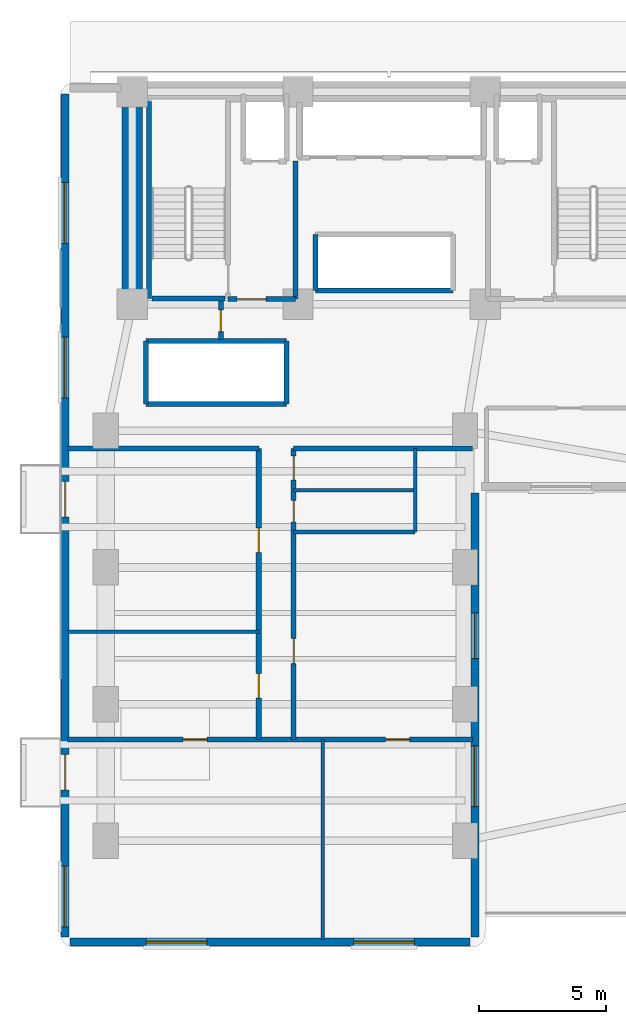
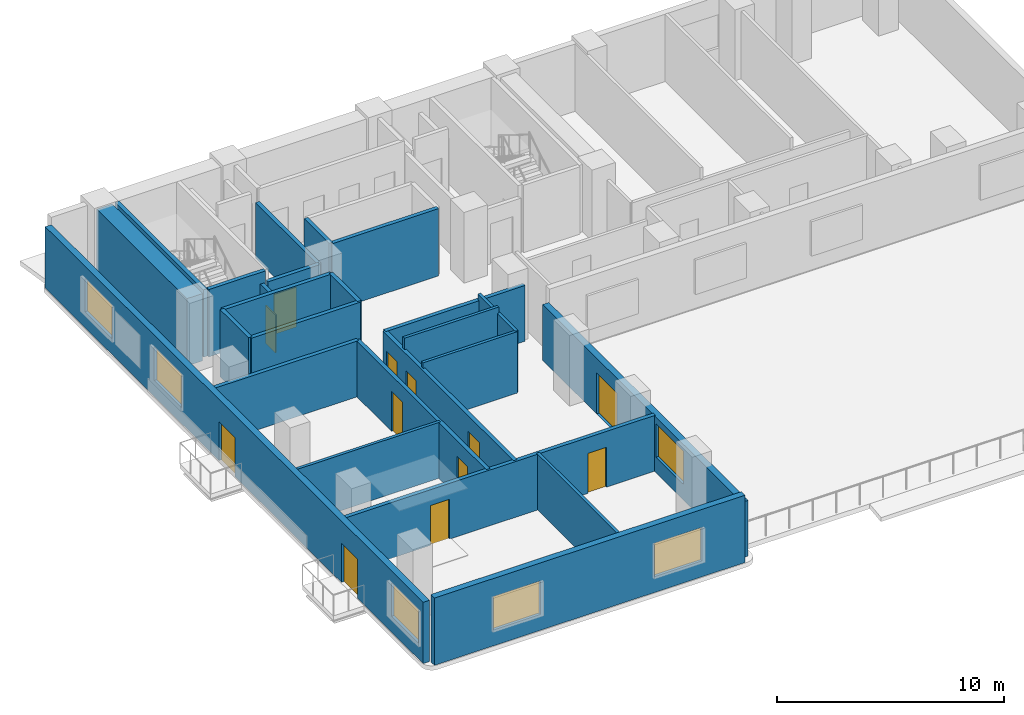
# One storey, part 3 of 10: 25 walls, 12 doors, 6 windows, 18 openings.
"""IFC4 building model written with IfcOpenShell, lengths in metres."""

from ifc_helpers import new_model, si_unit, direction, frame, frame_2d, origin, place, context, subcontext, project, spatial, rectangle, extrude, material, layer, layer_set, type_object, element, fill, save


model = new_model("IFC4")

# Units and contexts
model_context = context("Model", 3, precision=1e-05, world=origin(), true_north=direction((0.0, 1.0)))
body_context = subcontext(model_context, "Body", "Model", "MODEL_VIEW")
ifc_project = project(units=[si_unit("LENGTHUNIT", "METRE"), si_unit("AREAUNIT", "SQUARE_METRE"), si_unit("VOLUMEUNIT", "CUBIC_METRE"), si_unit("PLANEANGLEUNIT", "RADIAN"), si_unit("MASSUNIT", "GRAM", prefix="KILO")], contexts=[model_context])

# Site, building, storey
site_placement = place(None, origin())
site = spatial("IfcSite", under=ifc_project, at=site_placement, CompositionType="ELEMENT")
building_placement = place(site_placement, origin())
building = spatial("IfcBuilding", under=site, at=building_placement, Name="Kuzgunbayir Cultural Tower", CompositionType="ELEMENT")
storey_placement = place(building_placement, frame((0.0, 0.0, 26.39990234375)))
storey = spatial("IfcBuildingStorey", under=building, at=storey_placement, Name="L06", CompositionType="ELEMENT", Elevation=26.39990234375)

# Wall
ifc_material_1 = material(Name="Concrete C60/75", Category="concrete")
ifc_layer_1 = layer(ifc_material_1, 0.800048828125)
ifc_layer_set_1 = layer_set([ifc_layer_1], Name="Concrete C60/75")
wall_type_1 = type_object("IfcWallType", Name="WAL-CORE-800", PredefinedType="SHEAR", material=ifc_layer_set_1)
wall_1_placement = place(storey_placement, frame((6.449951171875, 33.800048828125, 0.0), z_axis=(0.0, 0.0, 1.0), x_axis=(0.0, 1.0, 0.0)))
element("IfcWall", 1, at=wall_1_placement, inside=storey, type_object=wall_type_1, Name="L06 T1 Core West Shear Wall", PredefinedType="SHEAR", context=body_context, shape_type="SweptSolid", body=[
    extrude(rectangle(XDim=7.949951171875, YDim=0.800048828125, at=frame_2d((3.97509765625, 0.0))), origin(), (0.0, 0.0, 1.0), 3.6201171875),
])

# Wall, openings, windows
ifc_material_2 = material(Name="Travertine Buff Ashlar", Category="masonry")
ifc_layer_2 = layer(ifc_material_2, 0.320068359375)
ifc_layer_set_2 = layer_set([ifc_layer_2], Name="Travertine Buff Ashlar")
wall_type_2 = type_object("IfcWallType", Name="WAL-EXT-STONE-320", PredefinedType="STANDARD", material=ifc_layer_set_2)
wall_2_placement = place(storey_placement, frame((4.0, 8.60009765625, 0.0), z_axis=(0.0, 0.0, 1.0), x_axis=(1.0, 0.0, 0.0)))
wall_2 = element("IfcWall", 2, at=wall_2_placement, inside=storey, type_object=wall_type_2, Name="L06 Wing A South Limestone Wall", PredefinedType="STANDARD", context=body_context, shape_type="SweptSolid", body=[
    extrude(rectangle(XDim=15.800048828125, YDim=0.320068359375, at=frame_2d((7.89990234375, 0.0))), origin(), (0.0, 0.0, 1.0), 3.6201171875),
])
opening_1_placement = place(wall_2_placement, frame((3.0, 0.0, 0.85009765625)))
opening_1 = element("IfcOpeningElement", 3, at=opening_1_placement, cuts=wall_2, Name="Opening WO-24", PredefinedType="OPENING", context=body_context, shape_type="SweptSolid", body=[
    extrude(rectangle(XDim=2.39990234375, YDim=1.800048828125, at=frame_2d((1.199951171875, 0.89990234375))), frame((0.0, 0.169921875, 0.0), z_axis=(0.0, -1.0, 0.0), x_axis=(1.0, 0.0, 0.0)), (0.0, 0.0, 1.0), 0.340087890625),
])
opening_2_placement = place(wall_2_placement, frame((11.199951171875, 0.0, 0.85009765625)))
opening_2 = element("IfcOpeningElement", 4, at=opening_2_placement, cuts=wall_2, Name="Opening WO-24", PredefinedType="OPENING", context=body_context, shape_type="SweptSolid", body=[
    extrude(rectangle(XDim=2.39990234375, YDim=1.800048828125, at=frame_2d((1.199951171875, 0.89990234375))), frame((0.0, 0.169921875, 0.0), z_axis=(0.0, -1.0, 0.0), x_axis=(1.0, 0.0, 0.0)), (0.0, 0.0, 1.0), 0.340087890625),
])
ifc_material_3 = material(Name="Solar-Control Triple Glazing", Category="glass")
window_type = type_object("IfcWindowType", Name="WIN-OFFICE-24", PartitioningType="SINGLE_PANEL", PredefinedType="WINDOW", material=ifc_material_3)
window_1_placement = place(opening_1_placement, origin())
window_1 = element("IfcWindow", 5, at=window_1_placement, inside=storey, type_object=window_type, Name="L06 WAS Facade Window 6", OverallHeight=1.800048828125, OverallWidth=2.39990234375, PartitioningType="SINGLE_PANEL", PredefinedType="WINDOW", context=body_context, shape_type="SweptSolid", body=[
    extrude(rectangle(XDim=2.39990234375, YDim=1.800048828125, at=frame_2d((1.199951171875, 0.89990234375))), frame((0.0, 0.030029296875, 0.0), z_axis=(0.0, -1.0, 0.0), x_axis=(1.0, 0.0, 0.0)), (0.0, 0.0, 1.0), 0.06005859375),
])
fill(opening_1, window_1)
window_2_placement = place(opening_2_placement, origin())
window_2 = element("IfcWindow", 6, at=window_2_placement, inside=storey, type_object=window_type, Name="L06 WAS Facade Window 7", OverallHeight=1.800048828125, OverallWidth=2.39990234375, PartitioningType="SINGLE_PANEL", PredefinedType="WINDOW", context=body_context, shape_type="SweptSolid", body=[
    extrude(rectangle(XDim=2.39990234375, YDim=1.800048828125, at=frame_2d((1.199951171875, 0.89990234375))), frame((0.0, 0.030029296875, 0.0), z_axis=(0.0, -1.0, 0.0), x_axis=(1.0, 0.0, 0.0)), (0.0, 0.0, 1.0), 0.06005859375),
])
fill(opening_2, window_2)

# Wall, openings, doors, windows
wall_3_placement = place(storey_placement, frame((3.800048828125, 42.10009765625, 0.0), z_axis=(0.0, 0.0, 1.0), x_axis=(0.0, -1.0, 0.0)))
wall_3 = element("IfcWall", 7, at=wall_3_placement, inside=storey, type_object=wall_type_2, Name="L06 Wing A West Limestone Wall", PredefinedType="STANDARD", context=body_context, shape_type="SweptSolid", body=[
    extrude(rectangle(XDim=33.300048828125, YDim=0.320068359375, at=frame_2d((16.64990234375, 0.0))), origin(), (0.0, 0.0, 1.0), 3.300048828125),
])
opening_3_placement = place(wall_3_placement, frame((26.10009765625, 0.0, 0.0)))
opening_3 = element("IfcOpeningElement", 8, at=opening_3_placement, cuts=wall_3, Name="Opening BD-15", PredefinedType="OPENING", context=body_context, shape_type="SweptSolid", body=[
    extrude(rectangle(XDim=1.39990234375, YDim=2.10009765625, at=frame_2d((0.699951171875, 1.050048828125))), frame((0.0, 0.169921875, 0.0), z_axis=(0.0, -1.0, 0.0), x_axis=(1.0, 0.0, 0.0)), (0.0, 0.0, 1.0), 0.340087890625),
])
opening_4_placement = place(wall_3_placement, frame((15.300048828125, 0.0, 0.0)))
opening_4 = element("IfcOpeningElement", 9, at=opening_4_placement, cuts=wall_3, Name="Opening BD-15", PredefinedType="OPENING", context=body_context, shape_type="SweptSolid", body=[
    extrude(rectangle(XDim=1.39990234375, YDim=2.10009765625, at=frame_2d((0.699951171875, 1.050048828125))), frame((0.0, 0.169921875, 0.0), z_axis=(0.0, -1.0, 0.0), x_axis=(1.0, 0.0, 0.0)), (0.0, 0.0, 1.0), 0.340087890625),
])
opening_5_placement = place(wall_3_placement, frame((30.5, 0.0, 0.85009765625)))
opening_5 = element("IfcOpeningElement", 10, at=opening_5_placement, cuts=wall_3, Name="Opening WO-24", PredefinedType="OPENING", context=body_context, shape_type="SweptSolid", body=[
    extrude(rectangle(XDim=2.39990234375, YDim=1.800048828125, at=frame_2d((1.199951171875, 0.89990234375))), frame((0.0, 0.169921875, 0.0), z_axis=(0.0, -1.0, 0.0), x_axis=(1.0, 0.0, 0.0)), (0.0, 0.0, 1.0), 0.340087890625),
])
opening_6_placement = place(wall_3_placement, frame((9.60009765625, 0.0, 0.85009765625)))
opening_6 = element("IfcOpeningElement", 11, at=opening_6_placement, cuts=wall_3, Name="Opening WO-24", PredefinedType="OPENING", context=body_context, shape_type="SweptSolid", body=[
    extrude(rectangle(XDim=2.39990234375, YDim=1.800048828125, at=frame_2d((1.199951171875, 0.89990234375))), frame((0.0, 0.169921875, 0.0), z_axis=(0.0, -1.0, 0.0), x_axis=(1.0, 0.0, 0.0)), (0.0, 0.0, 1.0), 0.340087890625),
])
opening_7_placement = place(wall_3_placement, frame((3.5, 0.0, 0.85009765625)))
opening_7 = element("IfcOpeningElement", 12, at=opening_7_placement, cuts=wall_3, Name="Opening WO-24", PredefinedType="OPENING", context=body_context, shape_type="SweptSolid", body=[
    extrude(rectangle(XDim=2.39990234375, YDim=1.800048828125, at=frame_2d((1.199951171875, 0.89990234375))), frame((0.0, 0.169921875, 0.0), z_axis=(0.0, -1.0, 0.0), x_axis=(1.0, 0.0, 0.0)), (0.0, 0.0, 1.0), 0.340087890625),
])
ifc_material_4 = material(Name="Thermally Broken Glazed Aluminium", Category="aluminium")
door_type_1 = type_object("IfcDoorType", Name="DR-BALCONY-150", OperationType="SLIDING_TO_RIGHT", PredefinedType="DOOR", material=ifc_material_4)
door_1_placement = place(opening_3_placement, origin())
door_1 = element("IfcDoor", 13, at=door_1_placement, inside=storey, type_object=door_type_1, Name="L06 West Balcony Sliding Door BAL-L06-WA1", OperationType="SLIDING_TO_RIGHT", OverallHeight=2.10009765625, OverallWidth=1.39990234375, PredefinedType="DOOR", context=body_context, shape_type="SweptSolid", body=[
    extrude(rectangle(XDim=1.39990234375, YDim=2.10009765625, at=frame_2d((0.699951171875, 1.050048828125))), frame((0.0, 0.02490234375, 0.0), z_axis=(0.0, -1.0, 0.0), x_axis=(1.0, 0.0, 0.0)), (0.0, 0.0, 1.0), 0.050048828125),
])
fill(opening_3, door_1)
door_2_placement = place(opening_4_placement, origin())
door_2 = element("IfcDoor", 14, at=door_2_placement, inside=storey, type_object=door_type_1, Name="L06 West Balcony Sliding Door BAL-L06-WA3", OperationType="SLIDING_TO_RIGHT", OverallHeight=2.10009765625, OverallWidth=1.39990234375, PredefinedType="DOOR", context=body_context, shape_type="SweptSolid", body=[
    extrude(rectangle(XDim=1.39990234375, YDim=2.10009765625, at=frame_2d((0.699951171875, 1.050048828125))), frame((0.0, 0.02490234375, 0.0), z_axis=(0.0, -1.0, 0.0), x_axis=(1.0, 0.0, 0.0)), (0.0, 0.0, 1.0), 0.050048828125),
])
fill(opening_4, door_2)
window_3_placement = place(opening_5_placement, origin())
window_3 = element("IfcWindow", 15, at=window_3_placement, inside=storey, type_object=window_type, Name="L06 WAW Facade Window 2", OverallHeight=1.800048828125, OverallWidth=2.39990234375, PartitioningType="SINGLE_PANEL", PredefinedType="WINDOW", context=body_context, shape_type="SweptSolid", body=[
    extrude(rectangle(XDim=2.39990234375, YDim=1.800048828125, at=frame_2d((1.199951171875, 0.89990234375))), frame((0.0, 0.030029296875, 0.0), z_axis=(0.0, -1.0, 0.0), x_axis=(1.0, 0.0, 0.0)), (0.0, 0.0, 1.0), 0.06005859375),
])
fill(opening_5, window_3)
window_4_placement = place(opening_6_placement, origin())
window_4 = element("IfcWindow", 16, at=window_4_placement, inside=storey, type_object=window_type, Name="L06 WAW Facade Window 3", OverallHeight=1.800048828125, OverallWidth=2.39990234375, PartitioningType="SINGLE_PANEL", PredefinedType="WINDOW", context=body_context, shape_type="SweptSolid", body=[
    extrude(rectangle(XDim=2.39990234375, YDim=1.800048828125, at=frame_2d((1.199951171875, 0.89990234375))), frame((0.0, 0.030029296875, 0.0), z_axis=(0.0, -1.0, 0.0), x_axis=(1.0, 0.0, 0.0)), (0.0, 0.0, 1.0), 0.06005859375),
])
fill(opening_6, window_4)
window_5_placement = place(opening_7_placement, origin())
window_5 = element("IfcWindow", 17, at=window_5_placement, inside=storey, type_object=window_type, Name="L06 WAW Facade Window 4", OverallHeight=1.800048828125, OverallWidth=2.39990234375, PartitioningType="SINGLE_PANEL", PredefinedType="WINDOW", context=body_context, shape_type="SweptSolid", body=[
    extrude(rectangle(XDim=2.39990234375, YDim=1.800048828125, at=frame_2d((1.199951171875, 0.89990234375))), frame((0.0, 0.030029296875, 0.0), z_axis=(0.0, -1.0, 0.0), x_axis=(1.0, 0.0, 0.0)), (0.0, 0.0, 1.0), 0.06005859375),
])
fill(opening_7, window_5)

# Wall, openings, door, window
wall_4_placement = place(storey_placement, frame((20.0, 8.800048828125, 0.0), z_axis=(0.0, 0.0, 1.0), x_axis=(0.0, 1.0, 0.0)))
wall_4 = element("IfcWall", 18, at=wall_4_placement, inside=storey, type_object=wall_type_2, Name="L06 Wing A East Limestone Wall", PredefinedType="STANDARD", context=body_context, shape_type="SweptSolid", body=[
    extrude(rectangle(XDim=17.550048828125, YDim=0.320068359375, at=frame_2d((8.77490234375, 0.0))), origin(), (0.0, 0.0, 1.0), 3.0),
])
opening_8_placement = place(wall_4_placement, frame((5.14990234375, 0.0, 0.85009765625)))
opening_8 = element("IfcOpeningElement", 19, at=opening_8_placement, cuts=wall_4, Name="Opening WO-24", PredefinedType="OPENING", context=body_context, shape_type="SweptSolid", body=[
    extrude(rectangle(XDim=2.39990234375, YDim=1.800048828125, at=frame_2d((1.199951171875, 0.89990234375))), frame((0.0, 0.169921875, 0.0), z_axis=(0.0, -1.0, 0.0), x_axis=(1.0, 0.0, 0.0)), (0.0, 0.0, 1.0), 0.340087890625),
])
opening_9_placement = place(wall_4_placement, frame((11.0, 0.0, 0.0)))
opening_9 = element("IfcOpeningElement", 20, at=opening_9_placement, cuts=wall_4, Name="Opening TD-18", PredefinedType="OPENING", context=body_context, shape_type="SweptSolid", body=[
    extrude(rectangle(XDim=1.800048828125, YDim=2.199951171875, at=frame_2d((0.89990234375, 1.10009765625))), frame((0.0, 0.169921875, 0.0), z_axis=(0.0, -1.0, 0.0), x_axis=(1.0, 0.0, 0.0)), (0.0, 0.0, 1.0), 0.340087890625),
])
door_type_2 = type_object("IfcDoorType", Name="DR-TERRACE-180", OperationType="SLIDING_TO_LEFT", PredefinedType="DOOR", material=ifc_material_4)
door_3_placement = place(opening_9_placement, origin())
door_3 = element("IfcDoor", 21, at=door_3_placement, inside=storey, type_object=door_type_2, Name="L06 Sculpture Roof Garden Terrace Door", OperationType="SLIDING_TO_LEFT", OverallHeight=2.199951171875, OverallWidth=1.800048828125, PredefinedType="DOOR", context=body_context, shape_type="SweptSolid", body=[
    extrude(rectangle(XDim=1.800048828125, YDim=2.199951171875, at=frame_2d((0.89990234375, 1.10009765625))), frame((0.0, 0.02490234375, 0.0), z_axis=(0.0, -1.0, 0.0), x_axis=(1.0, 0.0, 0.0)), (0.0, 0.0, 1.0), 0.050048828125),
])
fill(opening_9, door_3)
window_6_placement = place(opening_8_placement, origin())
window_6 = element("IfcWindow", 22, at=window_6_placement, inside=storey, type_object=window_type, Name="L06 WAE Facade Window 5", OverallHeight=1.800048828125, OverallWidth=2.39990234375, PartitioningType="SINGLE_PANEL", PredefinedType="WINDOW", context=body_context, shape_type="SweptSolid", body=[
    extrude(rectangle(XDim=2.39990234375, YDim=1.800048828125, at=frame_2d((1.199951171875, 0.89990234375))), frame((0.0, 0.030029296875, 0.0), z_axis=(0.0, -1.0, 0.0), x_axis=(1.0, 0.0, 0.0)), (0.0, 0.0, 1.0), 0.06005859375),
])
fill(opening_8, window_6)

# Walls
ifc_material_5 = material(Name="Acoustic Double-Stud Drywall", Category="gypsum")
ifc_layer_3 = layer(ifc_material_5, 0.14990234375)
ifc_layer_set_3 = layer_set([ifc_layer_3], Name="Acoustic Double-Stud Drywall")
wall_type_3 = type_object("IfcWallType", Name="WAL-PART-ACOUSTIC-150", PredefinedType="PARTITIONING", material=ifc_layer_set_3)
wall_5_placement = place(storey_placement, frame((3.89990234375, 20.860107421875, 0.0), z_axis=(0.0, 0.0, 1.0), x_axis=(1.0, 0.0, 0.0)))
element("IfcWall", 23, at=wall_5_placement, inside=storey, type_object=wall_type_3, Name="L06 West Suite Partition 1", PredefinedType="PARTITIONING", context=body_context, shape_type="SweptSolid", body=[
    extrude(rectangle(XDim=7.550048828125, YDim=0.14990234375, at=frame_2d((3.77490234375, 0.0))), origin(), (0.0, 0.0, 1.0), 3.0),
])
wall_6_placement = place(storey_placement, frame((13.97998046875, 8.699951171875, 0.0), z_axis=(0.0, 0.0, 1.0), x_axis=(0.0, 1.0, 0.0)))
element("IfcWall", 24, at=wall_6_placement, inside=storey, type_object=wall_type_3, Name="L06 South Suite Divider 1", PredefinedType="PARTITIONING", context=body_context, shape_type="SweptSolid", body=[
    extrude(rectangle(XDim=7.900146484375, YDim=0.14990234375, at=frame_2d((3.9501953125, 0.0))), origin(), (0.0, 0.0, 1.0), 3.0),
])
ifc_material_6 = material(Name="Aerated Concrete Blockwork", Category="masonry")
ifc_layer_4 = layer(ifc_material_6, 0.199951171875)
ifc_layer_set_4 = layer_set([ifc_layer_4], Name="Aerated Concrete Blockwork")
wall_type_4 = type_object("IfcWallType", Name="WAL-PART-FIRE-200", PredefinedType="PARTITIONING", material=ifc_layer_set_4)
wall_7_placement = place(storey_placement, frame((12.89990234375, 34.0, 0.0), z_axis=(0.0, 0.0, 1.0), x_axis=(0.0, 1.0, 0.0)))
element("IfcWall", 25, at=wall_7_placement, inside=storey, type_object=wall_type_4, Name="L06 FFL-1 Lobby East Fire Wall", PredefinedType="PARTITIONING", context=body_context, shape_type="SweptSolid", body=[
    extrude(rectangle(XDim=5.449951171875, YDim=0.199951171875, at=frame_2d((2.72509765625, 0.0))), origin(), (0.0, 0.0, 1.0), 3.0),
])

# Wall, opening, door
wall_8_placement = place(storey_placement, frame((10.239990234375, 34.0, 0.0), z_axis=(0.0, 0.0, 1.0), x_axis=(1.0, 0.0, 0.0)))
wall_8 = element("IfcWall", 26, at=wall_8_placement, inside=storey, type_object=wall_type_4, Name="L06 FFL-1 Lobby South Fire Wall", PredefinedType="PARTITIONING", context=body_context, shape_type="SweptSolid", body=[
    extrude(rectangle(XDim=2.659912109375, YDim=0.199951171875, at=frame_2d((1.330078125, 0.0))), origin(), (0.0, 0.0, 1.0), 3.0),
])
opening_10_placement = place(wall_8_placement, frame((0.35009765625, 0.0, 0.0)))
opening_10 = element("IfcOpeningElement", 27, at=opening_10_placement, cuts=wall_8, Name="Opening DR-FFL-90", PredefinedType="OPENING", context=body_context, shape_type="SweptSolid", body=[
    extrude(rectangle(XDim=1.14990234375, YDim=2.14990234375, at=frame_2d((0.574951171875, 1.074951171875))), frame((0.0, 0.10986328125, 0.0), z_axis=(0.0, -1.0, 0.0), x_axis=(1.0, 0.0, 0.0)), (0.0, 0.0, 1.0), 0.219970703125),
])
ifc_material_7 = material(Name="Steel S355J2", Category="steel")
door_type_3 = type_object("IfcDoorType", Name="DR-FFL-90", OperationType="NOTDEFINED", PredefinedType="DOOR", material=ifc_material_7)
door_4_placement = place(opening_10_placement, origin())
door_4 = element("IfcDoor", 28, at=door_4_placement, inside=storey, type_object=door_type_3, Name="L06 Firefighting Lobby 1 Door", OperationType="SINGLE_SWING_LEFT", OverallHeight=2.14990234375, OverallWidth=1.14990234375, PredefinedType="DOOR", context=body_context, shape_type="SweptSolid", body=[
    extrude(rectangle(XDim=1.14990234375, YDim=2.14990234375, at=frame_2d((0.574951171875, 1.074951171875))), frame((0.0, 0.02490234375, 0.0), z_axis=(0.0, -1.0, 0.0), x_axis=(1.0, 0.0, 0.0)), (0.0, 0.0, 1.0), 0.050048828125),
])
fill(opening_10, door_4)

wall_9_placement = place(storey_placement, frame((9.949951171875, 32.39990234375, 0.0), z_axis=(0.0, 0.0, 1.0), x_axis=(0.0, 1.0, 0.0)))
wall_9 = element("IfcWall", 29, at=wall_9_placement, inside=storey, type_object=wall_type_4, Name="L06 West Core Service Closet Wall", PredefinedType="PARTITIONING", context=body_context, shape_type="SweptSolid", body=[
    extrude(rectangle(XDim=1.52001953125, YDim=0.199951171875, at=frame_2d((0.760009765625, 0.0))), origin(), (0.0, 0.0, 1.0), 3.0),
])
opening_11_placement = place(wall_9_placement, frame((0.320068359375, 0.0, 0.0)))
opening_11 = element("IfcOpeningElement", 30, at=opening_11_placement, cuts=wall_9, Name="Opening DR-RSR-60", PredefinedType="OPENING", context=body_context, shape_type="SweptSolid", body=[
    extrude(rectangle(XDim=0.85009765625, YDim=2.050048828125, at=frame_2d((0.425048828125, 1.02490234375))), frame((0.0, 0.10986328125, 0.0), z_axis=(0.0, -1.0, 0.0), x_axis=(1.0, 0.0, 0.0)), (0.0, 0.0, 1.0), 0.219970703125),
])
ifc_material_8 = material(Name="Steel Access Leaf", Category="steel")
door_type_4 = type_object("IfcDoorType", Name="DR-RISER-60", OperationType="NOTDEFINED", PredefinedType="DOOR", material=ifc_material_8)
door_5_placement = place(opening_11_placement, origin())
door_5 = element("IfcDoor", 31, at=door_5_placement, inside=storey, type_object=door_type_4, Name="L06 Cleaner Utility Store Door", OperationType="SINGLE_SWING_LEFT", OverallHeight=2.050048828125, OverallWidth=0.85009765625, PredefinedType="DOOR", context=body_context, shape_type="SweptSolid", body=[
    extrude(rectangle(XDim=0.85009765625, YDim=2.050048828125, at=frame_2d((0.425048828125, 1.02490234375))), frame((0.0, 0.02490234375, 0.0), z_axis=(0.0, -1.0, 0.0), x_axis=(1.0, 0.0, 0.0)), (0.0, 0.0, 1.0), 0.050048828125),
])
fill(opening_11, door_5)

# Wall, openings, doors
wall_10_placement = place(storey_placement, frame((11.449951171875, 16.60009765625, 0.0), z_axis=(0.0, 0.0, 1.0), x_axis=(0.0, 1.0, 0.0)))
wall_10 = element("IfcWall", 32, at=wall_10_placement, inside=storey, type_object=wall_type_4, Name="L06 Wing A West Corridor Wall", PredefinedType="PARTITIONING", context=body_context, shape_type="SweptSolid", body=[
    extrude(rectangle(XDim=11.5, YDim=0.199951171875, at=frame_2d((5.75, 0.0))), origin(), (0.0, 0.0, 1.0), 3.0),
])
opening_12_placement = place(wall_10_placement, frame((1.64990234375, 0.0, 0.0)))
opening_12 = element("IfcOpeningElement", 33, at=opening_12_placement, cuts=wall_10, Name="Opening DI-90", PredefinedType="OPENING", context=body_context, shape_type="SweptSolid", body=[
    extrude(rectangle(XDim=0.949951171875, YDim=2.14990234375, at=frame_2d((0.47509765625, 1.074951171875))), frame((0.0, 0.10986328125, 0.0), z_axis=(0.0, -1.0, 0.0), x_axis=(1.0, 0.0, 0.0)), (0.0, 0.0, 1.0), 0.219970703125),
])
opening_13_placement = place(wall_10_placement, frame((7.39990234375, 0.0, 0.0)))
opening_13 = element("IfcOpeningElement", 34, at=opening_13_placement, cuts=wall_10, Name="Opening DI-90", PredefinedType="OPENING", context=body_context, shape_type="SweptSolid", body=[
    extrude(rectangle(XDim=0.949951171875, YDim=2.14990234375, at=frame_2d((0.47509765625, 1.074951171875))), frame((0.0, 0.10986328125, 0.0), z_axis=(0.0, -1.0, 0.0), x_axis=(1.0, 0.0, 0.0)), (0.0, 0.0, 1.0), 0.219970703125),
])
ifc_material_9 = material(Name="Veneered Oak Single Leaf", Category="wood")
door_type_5 = type_object("IfcDoorType", Name="DR-INT-90", OperationType="NOTDEFINED", PredefinedType="DOOR", material=ifc_material_9)
door_6_placement = place(opening_12_placement, origin())
door_6 = element("IfcDoor", 35, at=door_6_placement, inside=storey, type_object=door_type_5, Name="L06 Curatorial Office W1 Door", OperationType="SINGLE_SWING_RIGHT", OverallHeight=2.14990234375, OverallWidth=0.949951171875, PredefinedType="DOOR", context=body_context, shape_type="SweptSolid", body=[
    extrude(rectangle(XDim=0.949951171875, YDim=2.14990234375, at=frame_2d((0.47509765625, 1.074951171875))), frame((0.0, 0.02490234375, 0.0), z_axis=(0.0, -1.0, 0.0), x_axis=(1.0, 0.0, 0.0)), (0.0, 0.0, 1.0), 0.050048828125),
])
fill(opening_12, door_6)
door_7_placement = place(opening_13_placement, origin())
door_7 = element("IfcDoor", 36, at=door_7_placement, inside=storey, type_object=door_type_5, Name="L06 Wellness Consultation Studio W2 Door", OperationType="SINGLE_SWING_LEFT", OverallHeight=2.14990234375, OverallWidth=0.949951171875, PredefinedType="DOOR", context=body_context, shape_type="SweptSolid", body=[
    extrude(rectangle(XDim=0.949951171875, YDim=2.14990234375, at=frame_2d((0.47509765625, 1.074951171875))), frame((0.0, 0.02490234375, 0.0), z_axis=(0.0, -1.0, 0.0), x_axis=(1.0, 0.0, 0.0)), (0.0, 0.0, 1.0), 0.050048828125),
])
fill(opening_13, door_7)

wall_11_placement = place(storey_placement, frame((12.830078125, 16.60009765625, 0.0), z_axis=(0.0, 0.0, 1.0), x_axis=(0.0, 1.0, 0.0)))
wall_11 = element("IfcWall", 37, at=wall_11_placement, inside=storey, type_object=wall_type_4, Name="L06 Wing A East Corridor Wall", PredefinedType="PARTITIONING", context=body_context, shape_type="SweptSolid", body=[
    extrude(rectangle(XDim=11.5, YDim=0.199951171875, at=frame_2d((5.75, 0.0))), origin(), (0.0, 0.0, 1.0), 3.0),
])
opening_14_placement = place(wall_11_placement, frame((3.0, 0.0, 0.0)))
opening_14 = element("IfcOpeningElement", 38, at=opening_14_placement, cuts=wall_11, Name="Opening DI-100", PredefinedType="OPENING", context=body_context, shape_type="SweptSolid", body=[
    extrude(rectangle(XDim=1.0, YDim=2.14990234375, at=frame_2d((0.5, 1.074951171875))), frame((0.0, 0.10986328125, 0.0), z_axis=(0.0, -1.0, 0.0), x_axis=(1.0, 0.0, 0.0)), (0.0, 0.0, 1.0), 0.219970703125),
])
opening_15_placement = place(wall_11_placement, frame((8.60009765625, 0.0, 0.0)))
opening_15 = element("IfcOpeningElement", 39, at=opening_15_placement, cuts=wall_11, Name="Opening DW-85", PredefinedType="OPENING", context=body_context, shape_type="SweptSolid", body=[
    extrude(rectangle(XDim=0.85009765625, YDim=2.10009765625, at=frame_2d((0.425048828125, 1.050048828125))), frame((0.0, 0.10986328125, 0.0), z_axis=(0.0, -1.0, 0.0), x_axis=(1.0, 0.0, 0.0)), (0.0, 0.0, 1.0), 0.219970703125),
])
opening_16_placement = place(wall_11_placement, frame((10.25, 0.0, 0.0)))
opening_16 = element("IfcOpeningElement", 40, at=opening_16_placement, cuts=wall_11, Name="Opening DW-95", PredefinedType="OPENING", context=body_context, shape_type="SweptSolid", body=[
    extrude(rectangle(XDim=0.949951171875, YDim=2.10009765625, at=frame_2d((0.47509765625, 1.050048828125))), frame((0.0, 0.10986328125, 0.0), z_axis=(0.0, -1.0, 0.0), x_axis=(1.0, 0.0, 0.0)), (0.0, 0.0, 1.0), 0.219970703125),
])
door_type_6 = type_object("IfcDoorType", Name="DR-INT-100", OperationType="NOTDEFINED", PredefinedType="DOOR", material=ifc_material_9)
door_8_placement = place(opening_14_placement, origin())
door_8 = element("IfcDoor", 41, at=door_8_placement, inside=storey, type_object=door_type_6, Name="L06 Garden Terrace Salon Door", OperationType="SINGLE_SWING_RIGHT", OverallHeight=2.14990234375, OverallWidth=1.0, PredefinedType="DOOR", context=body_context, shape_type="SweptSolid", body=[
    extrude(rectangle(XDim=1.0, YDim=2.14990234375, at=frame_2d((0.5, 1.074951171875))), frame((0.0, 0.02490234375, 0.0), z_axis=(0.0, -1.0, 0.0), x_axis=(1.0, 0.0, 0.0)), (0.0, 0.0, 1.0), 0.050048828125),
])
fill(opening_14, door_8)
ifc_material_10 = material(Name="Laminate Moisture-Resistant Leaf", Category="wood")
door_type_7 = type_object("IfcDoorType", Name="DR-WET-85", OperationType="NOTDEFINED", PredefinedType="DOOR", material=ifc_material_10)
door_9_placement = place(opening_15_placement, origin())
door_9 = element("IfcDoor", 42, at=door_9_placement, inside=storey, type_object=door_type_7, Name="L06 Staff WC Door", OperationType="SINGLE_SWING_LEFT", OverallHeight=2.10009765625, OverallWidth=0.85009765625, PredefinedType="DOOR", context=body_context, shape_type="SweptSolid", body=[
    extrude(rectangle(XDim=0.85009765625, YDim=2.10009765625, at=frame_2d((0.425048828125, 1.050048828125))), frame((0.0, 0.02490234375, 0.0), z_axis=(0.0, -1.0, 0.0), x_axis=(1.0, 0.0, 0.0)), (0.0, 0.0, 1.0), 0.050048828125),
])
fill(opening_15, door_9)
door_type_8 = type_object("IfcDoorType", Name="DR-WET-95", OperationType="NOTDEFINED", PredefinedType="DOOR", material=ifc_material_10)
door_10_placement = place(opening_16_placement, origin())
door_10 = element("IfcDoor", 43, at=door_10_placement, inside=storey, type_object=door_type_8, Name="L06 Accessible WC Door", OperationType="SINGLE_SWING_RIGHT", OverallHeight=2.10009765625, OverallWidth=0.949951171875, PredefinedType="DOOR", context=body_context, shape_type="SweptSolid", body=[
    extrude(rectangle(XDim=0.949951171875, YDim=2.10009765625, at=frame_2d((0.47509765625, 1.050048828125))), frame((0.0, 0.02490234375, 0.0), z_axis=(0.0, -1.0, 0.0), x_axis=(1.0, 0.0, 0.0)), (0.0, 0.0, 1.0), 0.050048828125),
])
fill(opening_16, door_10)

wall_12_placement = place(storey_placement, frame((3.89990234375, 16.60009765625, 0.0), z_axis=(0.0, 0.0, 1.0), x_axis=(1.0, 0.0, 0.0)))
wall_12 = element("IfcWall", 44, at=wall_12_placement, inside=storey, type_object=wall_type_4, Name="L06 South Cross Partition", PredefinedType="PARTITIONING", context=body_context, shape_type="SweptSolid", body=[
    extrude(rectangle(XDim=16.0, YDim=0.199951171875, at=frame_2d((8.0, 0.0))), origin(), (0.0, 0.0, 1.0), 3.0),
])
opening_17_placement = place(wall_12_placement, frame((4.56005859375, 0.0, 0.0)))
opening_17 = element("IfcOpeningElement", 45, at=opening_17_placement, cuts=wall_12, Name="Opening DI-90", PredefinedType="OPENING", context=body_context, shape_type="SweptSolid", body=[
    extrude(rectangle(XDim=0.949951171875, YDim=2.14990234375, at=frame_2d((0.47509765625, 1.074951171875))), frame((0.0, 0.10986328125, 0.0), z_axis=(0.0, -1.0, 0.0), x_axis=(1.0, 0.0, 0.0)), (0.0, 0.0, 1.0), 0.219970703125),
])
opening_18_placement = place(wall_12_placement, frame((12.56005859375, 0.0, 0.0)))
opening_18 = element("IfcOpeningElement", 46, at=opening_18_placement, cuts=wall_12, Name="Opening DI-90", PredefinedType="OPENING", context=body_context, shape_type="SweptSolid", body=[
    extrude(rectangle(XDim=0.949951171875, YDim=2.14990234375, at=frame_2d((0.47509765625, 1.074951171875))), frame((0.0, 0.10986328125, 0.0), z_axis=(0.0, -1.0, 0.0), x_axis=(1.0, 0.0, 0.0)), (0.0, 0.0, 1.0), 0.219970703125),
])
door_11_placement = place(opening_17_placement, origin())
door_11 = element("IfcDoor", 47, at=door_11_placement, inside=storey, type_object=door_type_5, Name="L06 South Suite S1 Door", OperationType="SINGLE_SWING_RIGHT", OverallHeight=2.14990234375, OverallWidth=0.949951171875, PredefinedType="DOOR", context=body_context, shape_type="SweptSolid", body=[
    extrude(rectangle(XDim=0.949951171875, YDim=2.14990234375, at=frame_2d((0.47509765625, 1.074951171875))), frame((0.0, 0.02490234375, 0.0), z_axis=(0.0, -1.0, 0.0), x_axis=(1.0, 0.0, 0.0)), (0.0, 0.0, 1.0), 0.050048828125),
])
fill(opening_17, door_11)
door_12_placement = place(opening_18_placement, origin())
door_12 = element("IfcDoor", 48, at=door_12_placement, inside=storey, type_object=door_type_5, Name="L06 South Suite S2 Door", OperationType="SINGLE_SWING_LEFT", OverallHeight=2.14990234375, OverallWidth=0.949951171875, PredefinedType="DOOR", context=body_context, shape_type="SweptSolid", body=[
    extrude(rectangle(XDim=0.949951171875, YDim=2.14990234375, at=frame_2d((0.47509765625, 1.074951171875))), frame((0.0, 0.02490234375, 0.0), z_axis=(0.0, -1.0, 0.0), x_axis=(1.0, 0.0, 0.0)), (0.0, 0.0, 1.0), 0.050048828125),
])
fill(opening_18, door_12)

# Walls
wall_13_placement = place(storey_placement, frame((3.89990234375, 28.10009765625, 0.0), z_axis=(0.0, 0.0, 1.0), x_axis=(1.0, 0.0, 0.0)))
element("IfcWall", 49, at=wall_13_placement, inside=storey, type_object=wall_type_4, Name="L06 North West Partition", PredefinedType="PARTITIONING", context=body_context, shape_type="SweptSolid", body=[
    extrude(rectangle(XDim=7.550048828125, YDim=0.199951171875, at=frame_2d((3.77490234375, 0.0))), origin(), (0.0, 0.0, 1.0), 3.0),
])
wall_14_placement = place(storey_placement, frame((12.830078125, 28.10009765625, 0.0), z_axis=(0.0, 0.0, 1.0), x_axis=(1.0, 0.0, 0.0)))
element("IfcWall", 50, at=wall_14_placement, inside=storey, type_object=wall_type_4, Name="L06 North East Partition", PredefinedType="PARTITIONING", context=body_context, shape_type="SweptSolid", body=[
    extrude(rectangle(XDim=7.06982421875, YDim=0.199951171875, at=frame_2d((3.534912109375, 0.0))), origin(), (0.0, 0.0, 1.0), 3.0),
])
ifc_material_11 = material(Name="Moisture-Resistant Tile Partition", Category="gypsum")
ifc_layer_5 = layer(ifc_material_11, 0.14990234375)
ifc_layer_set_5 = layer_set([ifc_layer_5], Name="Moisture-Resistant Tile Partition")
wall_type_5 = type_object("IfcWallType", Name="WAL-PART-WET-150", PredefinedType="PARTITIONING", material=ifc_layer_set_5)
wall_15_placement = place(storey_placement, frame((12.830078125, 24.800048828125, 0.0), z_axis=(0.0, 0.0, 1.0), x_axis=(1.0, 0.0, 0.0)))
element("IfcWall", 51, at=wall_15_placement, inside=storey, type_object=wall_type_5, Name="L06 WC South Wall", PredefinedType="PARTITIONING", context=body_context, shape_type="SweptSolid", body=[
    extrude(rectangle(XDim=4.7998046875, YDim=0.14990234375, at=frame_2d((2.39990234375, 0.0))), origin(), (0.0, 0.0, 1.0), 3.300048828125),
])
wall_16_placement = place(storey_placement, frame((12.830078125, 26.449951171875, 0.0), z_axis=(0.0, 0.0, 1.0), x_axis=(1.0, 0.0, 0.0)))
element("IfcWall", 52, at=wall_16_placement, inside=storey, type_object=wall_type_5, Name="L06 WC Divider", PredefinedType="PARTITIONING", context=body_context, shape_type="SweptSolid", body=[
    extrude(rectangle(XDim=4.7998046875, YDim=0.14990234375, at=frame_2d((2.39990234375, 0.0))), origin(), (0.0, 0.0, 1.0), 3.6201171875),
])
wall_17_placement = place(storey_placement, frame((17.6298828125, 24.800048828125, 0.0), z_axis=(0.0, 0.0, 1.0), x_axis=(0.0, 1.0, 0.0)))
element("IfcWall", 53, at=wall_17_placement, inside=storey, type_object=wall_type_5, Name="L06 WC East Wall", PredefinedType="PARTITIONING", context=body_context, shape_type="SweptSolid", body=[
    extrude(rectangle(XDim=3.300048828125, YDim=0.14990234375, at=frame_2d((1.64990234375, 0.0))), origin(), (0.0, 0.0, 1.0), 3.300048828125),
])
ifc_material_12 = material(Name="Concrete C40/50", Category="concrete")
ifc_layer_6 = layer(ifc_material_12, 0.199951171875)
ifc_layer_set_6 = layer_set([ifc_layer_6], Name="Concrete C40/50")
wall_type_6 = type_object("IfcWallType", Name="WAL-SHAFT-200", PredefinedType="MOVABLE", material=ifc_layer_set_6)
for number, where, z_axis, x_axis, name in (
    (54, (7.0, 29.85009765625, 0.0), (0.0, 0.0, 1.0), (1.0, 0.0, 0.0), "L06 High-Rise Lift Shaft South Wall"),
    (55, (7.0, 32.35009765625, 0.0), (0.0, 0.0, 1.0), (1.0, 0.0, 0.0), "L06 High-Rise Lift Shaft North Wall"),
):
    element("IfcWall", number, at=place(storey_placement, frame(where, z_axis=z_axis, x_axis=x_axis)), inside=storey, type_object=wall_type_6, Name=name, PredefinedType="MOVABLE", context=body_context, shape_type="SweptSolid", body=[
        extrude(rectangle(XDim=5.550048828125, YDim=0.199951171875, at=frame_2d((2.77490234375, 0.0))), origin(), (0.0, 0.0, 1.0), 3.6201171875),
    ])
for number, where, z_axis, x_axis, name in (
    (56, (7.0, 29.85009765625, 0.0), (0.0, 0.0, 1.0), (0.0, 1.0, 0.0), "L06 High-Rise Lift Shaft West Wall"),
    (57, (12.550048828125, 29.85009765625, 0.0), (0.0, 0.0, 1.0), (0.0, 1.0, 0.0), "L06 High-Rise Lift Shaft East Wall"),
):
    element("IfcWall", number, at=place(storey_placement, frame(where, z_axis=z_axis, x_axis=x_axis)), inside=storey, type_object=wall_type_6, Name=name, PredefinedType="MOVABLE", context=body_context, shape_type="SweptSolid", body=[
        extrude(rectangle(XDim=2.5, YDim=0.199951171875, at=frame_2d((1.25, 0.0))), origin(), (0.0, 0.0, 1.0), 3.6201171875),
    ])
wall_18_placement = place(storey_placement, frame((13.699951171875, 34.35009765625, 0.0), z_axis=(0.0, 0.0, 1.0), x_axis=(1.0, 0.0, 0.0)))
element("IfcWall", 58, at=wall_18_placement, inside=storey, type_object=wall_type_6, Name="L06 Mid-Rise Lift Front Wall", PredefinedType="MOVABLE", context=body_context, shape_type="SweptSolid", body=[
    extrude(rectangle(XDim=5.420166015625, YDim=0.199951171875, at=frame_2d((2.7099609375, 0.0))), origin(), (0.0, 0.0, 1.0), 3.6201171875),
])
wall_19_placement = place(storey_placement, frame((13.699951171875, 34.35009765625, 0.0), z_axis=(0.0, 0.0, 1.0), x_axis=(0.0, 1.0, 0.0)))
element("IfcWall", 59, at=wall_19_placement, inside=storey, type_object=wall_type_6, Name="L06 Mid-Rise Lift Shaft West Wall", PredefinedType="MOVABLE", context=body_context, shape_type="SweptSolid", body=[
    extrude(rectangle(XDim=2.199951171875, YDim=0.199951171875, at=frame_2d((1.10009765625, 0.0))), origin(), (0.0, 0.0, 1.0), 3.6201171875),
])
ifc_layer_7 = layer(ifc_material_12, 0.199951171875)
ifc_layer_set_7 = layer_set([ifc_layer_7], Name="Concrete C40/50")
wall_type_7 = type_object("IfcWallType", Name="WAL-STAIR-RC-200", PredefinedType="SHEAR", material=ifc_layer_set_7)
wall_20_placement = place(storey_placement, frame((7.1201171875, 34.02001953125, 0.0), z_axis=(0.0, 0.0, 1.0), x_axis=(0.0, 1.0, 0.0)))
element("IfcWall", 60, at=wall_20_placement, inside=storey, type_object=wall_type_7, Name="L06 Stair ST-1 West Structural Wall", PredefinedType="SHEAR", context=body_context, shape_type="SweptSolid", body=[
    extrude(rectangle(XDim=7.780029296875, YDim=0.199951171875, at=frame_2d((3.89013671875, 0.0))), origin(), (0.0, 0.0, 1.0), 3.6201171875),
])
wall_21_placement = place(storey_placement, frame((7.239990234375, 34.02001953125, 0.0), z_axis=(0.0, 0.0, 1.0), x_axis=(1.0, 0.0, 0.0)))
element("IfcWall", 61, at=wall_21_placement, inside=storey, type_object=wall_type_7, Name="L06 Stair ST-1 South Structural Wall", PredefinedType="SHEAR", context=body_context, shape_type="SweptSolid", body=[
    extrude(rectangle(XDim=2.880126953125, YDim=0.199951171875, at=frame_2d((1.43994140625, 0.0))), origin(), (0.0, 0.0, 1.0), 3.6201171875),
])

save(model, "model.ifc")
